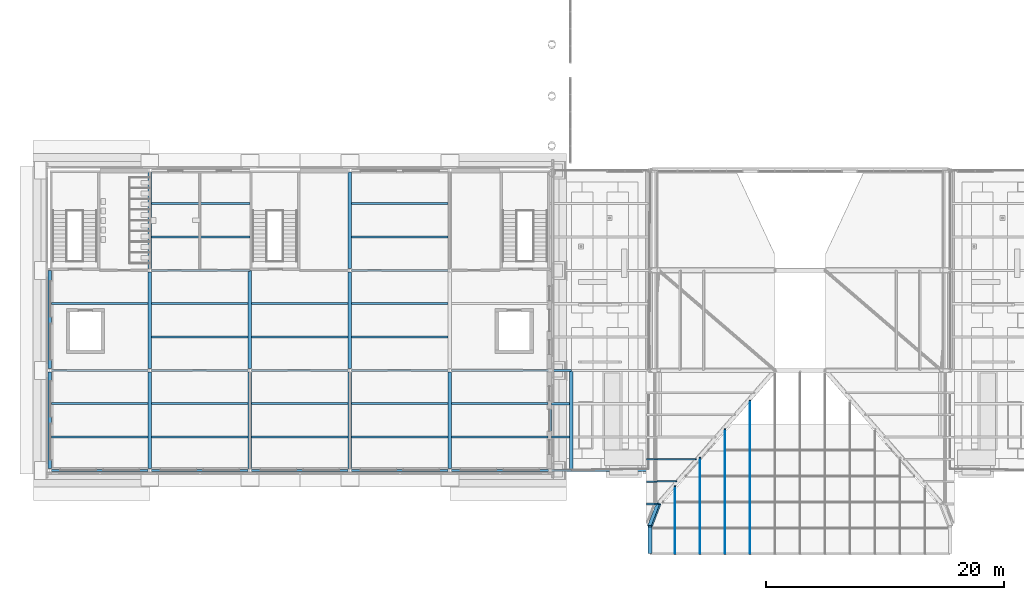
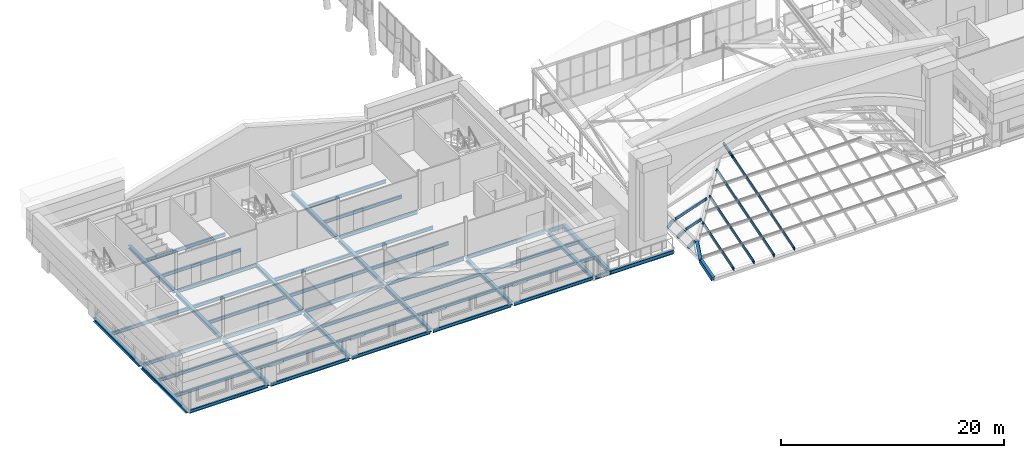
# One storey, part 13 of 76: 53 beams, 13 members.
"""IFC4 building model written with IfcOpenShell, lengths in metres."""

from ifc_helpers import new_model, si_unit, direction, frame, origin, origin_2d, place, context, subcontext, project, spatial, polyline, rectangle, i_section, outline, extrude, material, material_profile, profile_set, type_object, element, save


model = new_model("IFC4")

# Units and contexts
model_context = context("Model", 3, precision=1e-05, world=origin(), true_north=direction((0.0, 1.0)))
body_context = subcontext(model_context, "Body", "Model", "MODEL_VIEW")
ifc_project = project(units=[si_unit("LENGTHUNIT", "METRE"), si_unit("AREAUNIT", "SQUARE_METRE"), si_unit("VOLUMEUNIT", "CUBIC_METRE"), si_unit("PLANEANGLEUNIT", "RADIAN"), si_unit("MASSUNIT", "GRAM", prefix="KILO")], contexts=[model_context])

# Site, building, storey
site_placement = place(None, origin())
site = spatial("IfcSite", under=ifc_project, at=site_placement, CompositionType="ELEMENT")
building_placement = place(site_placement, origin())
building = spatial("IfcBuilding", under=site, at=building_placement, Name="Sava Quay Ferry Terminal", CompositionType="ELEMENT")
storey_placement = place(building_placement, frame((0.0, 0.0, 10.800048828125)))
storey = spatial("IfcBuildingStorey", under=building, at=storey_placement, Name="L02", CompositionType="ELEMENT", Elevation=10.800048828125)

# Beams
ifc_material_1 = material(Name="Steel S355", Category="steel")
ifc_material_profile_1 = material_profile(ifc_material_1, i_section(OverallWidth=0.169921875, OverallDepth=0.360107421875, WebThickness=0.008056640625, FlangeThickness=0.0126953125, at=origin_2d()), Name="IPE 360")
ifc_profile_set_1 = profile_set([ifc_material_profile_1], Name="Steel S355")
beam_type_1 = type_object("IfcBeamType", Name="Beam IPE 360", PredefinedType="BEAM", material=ifc_profile_set_1)
beam_1_placement = place(storey_placement, frame((0.14990234375, 25.199951171875, -0.31005859375), z_axis=(1.0, 0.0, 0.0), x_axis=(0.0, 1.0, 0.0)))
element("IfcBeam", 1, at=beam_1_placement, inside=storey, type_object=beam_type_1, Name="Beam L02", PredefinedType="BEAM", context=body_context, shape_type="SweptSolid", body=[
    extrude(i_section(OverallWidth=0.169921875, OverallDepth=0.360107421875, WebThickness=0.008056640625, FlangeThickness=0.0126953125, at=origin_2d()), origin(), (0.0, 0.0, 1.0), 8.10009765625),
])
beam_2_placement = place(storey_placement, frame((8.550048828125, 25.199951171875, -0.31005859375), z_axis=(1.0, 0.0, 0.0), x_axis=(0.0, 1.0, 0.0)))
element("IfcBeam", 2, at=beam_2_placement, inside=storey, type_object=beam_type_1, Name="Beam L02", PredefinedType="BEAM", context=body_context, shape_type="SweptSolid", body=[
    extrude(i_section(OverallWidth=0.169921875, OverallDepth=0.360107421875, WebThickness=0.008056640625, FlangeThickness=0.0126953125, at=origin_2d()), origin(), (0.0, 0.0, 1.0), 8.099853515625),
])
beam_3_placement = place(storey_placement, frame((16.949951171875, 25.199951171875, -0.31005859375), z_axis=(1.0, 0.0, 0.0), x_axis=(0.0, 1.0, 0.0)))
element("IfcBeam", 3, at=beam_3_placement, inside=storey, type_object=beam_type_1, Name="Beam L02", PredefinedType="BEAM", context=body_context, shape_type="SweptSolid", body=[
    extrude(i_section(OverallWidth=0.169921875, OverallDepth=0.360107421875, WebThickness=0.008056640625, FlangeThickness=0.0126953125, at=origin_2d()), origin(), (0.0, 0.0, 1.0), 8.10009765625),
])
beam_4_placement = place(storey_placement, frame((25.35009765625, 25.199951171875, -0.31005859375), z_axis=(1.0, 0.0, 0.0), x_axis=(0.0, 1.0, 0.0)))
element("IfcBeam", 4, at=beam_4_placement, inside=storey, type_object=beam_type_1, Name="Beam L02", PredefinedType="BEAM", context=body_context, shape_type="SweptSolid", body=[
    extrude(i_section(OverallWidth=0.169921875, OverallDepth=0.360107421875, WebThickness=0.008056640625, FlangeThickness=0.0126953125, at=origin_2d()), origin(), (0.0, 0.0, 1.0), 8.099853515625),
])
beam_5_placement = place(storey_placement, frame((33.75, 25.199951171875, -0.31005859375), z_axis=(1.0, 0.0, 0.0), x_axis=(0.0, 1.0, 0.0)))
element("IfcBeam", 5, at=beam_5_placement, inside=storey, type_object=beam_type_1, Name="Beam L02", PredefinedType="BEAM", context=body_context, shape_type="SweptSolid", body=[
    extrude(i_section(OverallWidth=0.169921875, OverallDepth=0.360107421875, WebThickness=0.008056640625, FlangeThickness=0.0126953125, at=origin_2d()), origin(), (0.0, 0.0, 1.0), 8.1201171875),
])
beam_6_placement = place(storey_placement, frame((0.14990234375, 33.60009765625, -0.31005859375), z_axis=(1.0, 0.0, 0.0), x_axis=(0.0, 1.0, 0.0)))
element("IfcBeam", 6, at=beam_6_placement, inside=storey, type_object=beam_type_1, Name="Beam L02", PredefinedType="BEAM", context=body_context, shape_type="SweptSolid", body=[
    extrude(i_section(OverallWidth=0.169921875, OverallDepth=0.360107421875, WebThickness=0.008056640625, FlangeThickness=0.0126953125, at=origin_2d()), origin(), (0.0, 0.0, 1.0), 8.10009765625),
])
beam_7_placement = place(storey_placement, frame((8.550048828125, 33.60009765625, -0.31005859375), z_axis=(1.0, 0.0, 0.0), x_axis=(0.0, 1.0, 0.0)))
element("IfcBeam", 7, at=beam_7_placement, inside=storey, type_object=beam_type_1, Name="Beam L02", PredefinedType="BEAM", context=body_context, shape_type="SweptSolid", body=[
    extrude(i_section(OverallWidth=0.169921875, OverallDepth=0.360107421875, WebThickness=0.008056640625, FlangeThickness=0.0126953125, at=origin_2d()), origin(), (0.0, 0.0, 1.0), 8.099853515625),
])
beam_8_placement = place(storey_placement, frame((16.949951171875, 33.60009765625, -0.31005859375), z_axis=(1.0, 0.0, 0.0), x_axis=(0.0, 1.0, 0.0)))
element("IfcBeam", 8, at=beam_8_placement, inside=storey, type_object=beam_type_1, Name="Beam L02", PredefinedType="BEAM", context=body_context, shape_type="SweptSolid", body=[
    extrude(i_section(OverallWidth=0.169921875, OverallDepth=0.360107421875, WebThickness=0.008056640625, FlangeThickness=0.0126953125, at=origin_2d()), origin(), (0.0, 0.0, 1.0), 8.10009765625),
])
beam_9_placement = place(storey_placement, frame((25.35009765625, 33.60009765625, -0.31005859375), z_axis=(1.0, 0.0, 0.0), x_axis=(0.0, 1.0, 0.0)))
element("IfcBeam", 9, at=beam_9_placement, inside=storey, type_object=beam_type_1, Name="Beam L02", PredefinedType="BEAM", context=body_context, shape_type="SweptSolid", body=[
    extrude(i_section(OverallWidth=0.169921875, OverallDepth=0.360107421875, WebThickness=0.008056640625, FlangeThickness=0.0126953125, at=origin_2d()), origin(), (0.0, 0.0, 1.0), 8.099853515625),
])
beam_10_placement = place(storey_placement, frame((33.75, 33.60009765625, -0.31005859375), z_axis=(1.0, 0.0, 0.0), x_axis=(0.0, 1.0, 0.0)))
element("IfcBeam", 10, at=beam_10_placement, inside=storey, type_object=beam_type_1, Name="Beam L02", PredefinedType="BEAM", context=body_context, shape_type="SweptSolid", body=[
    extrude(i_section(OverallWidth=0.169921875, OverallDepth=0.360107421875, WebThickness=0.008056640625, FlangeThickness=0.0126953125, at=origin_2d()), origin(), (0.0, 0.0, 1.0), 8.1201171875),
])
beam_11_placement = place(storey_placement, frame((8.550048828125, 42.0, -0.31005859375), z_axis=(1.0, 0.0, 0.0), x_axis=(0.0, 1.0, 0.0)))
element("IfcBeam", 11, at=beam_11_placement, inside=storey, type_object=beam_type_1, Name="Beam L02", PredefinedType="BEAM", context=body_context, shape_type="SweptSolid", body=[
    extrude(i_section(OverallWidth=0.169921875, OverallDepth=0.360107421875, WebThickness=0.008056640625, FlangeThickness=0.0126953125, at=origin_2d()), origin(), (0.0, 0.0, 1.0), 8.25),
])
beam_12_placement = place(storey_placement, frame((25.35009765625, 42.0, -0.31005859375), z_axis=(1.0, 0.0, 0.0), x_axis=(0.0, 1.0, 0.0)))
element("IfcBeam", 12, at=beam_12_placement, inside=storey, type_object=beam_type_1, Name="Beam L02", PredefinedType="BEAM", context=body_context, shape_type="SweptSolid", body=[
    extrude(i_section(OverallWidth=0.169921875, OverallDepth=0.360107421875, WebThickness=0.008056640625, FlangeThickness=0.0126953125, at=origin_2d()), origin(), (0.0, 0.0, 1.0), 8.099853515625),
])
for number, where, z_axis, x_axis, name in (
    (13, (0.14990234375, 28.0, -0.31005859375), (1.0, 0.0, 0.0), (0.0, 1.0, 0.0), "Secondary beam L02"),
    (14, (0.14990234375, 30.800048828125, -0.31005859375), (1.0, 0.0, 0.0), (0.0, 1.0, 0.0), "Secondary beam L02"),
):
    element("IfcBeam", number, at=place(storey_placement, frame(where, z_axis=z_axis, x_axis=x_axis)), inside=storey, type_object=beam_type_1, Name=name, PredefinedType="BEAM", context=body_context, shape_type="SweptSolid", body=[
        extrude(i_section(OverallWidth=0.169921875, OverallDepth=0.360107421875, WebThickness=0.008056640625, FlangeThickness=0.0126953125, at=origin_2d()), origin(), (0.0, 0.0, 1.0), 8.10009765625),
    ])
for number, where, z_axis, x_axis, name in (
    (15, (8.550048828125, 28.0, -0.31005859375), (1.0, 0.0, 0.0), (0.0, 1.0, 0.0), "Secondary beam L02"),
    (16, (8.550048828125, 30.800048828125, -0.31005859375), (1.0, 0.0, 0.0), (0.0, 1.0, 0.0), "Secondary beam L02"),
):
    element("IfcBeam", number, at=place(storey_placement, frame(where, z_axis=z_axis, x_axis=x_axis)), inside=storey, type_object=beam_type_1, Name=name, PredefinedType="BEAM", context=body_context, shape_type="SweptSolid", body=[
        extrude(i_section(OverallWidth=0.169921875, OverallDepth=0.360107421875, WebThickness=0.008056640625, FlangeThickness=0.0126953125, at=origin_2d()), origin(), (0.0, 0.0, 1.0), 8.099853515625),
    ])
for number, where, z_axis, x_axis, name in (
    (17, (16.949951171875, 28.0, -0.31005859375), (1.0, 0.0, 0.0), (0.0, 1.0, 0.0), "Secondary beam L02"),
    (18, (16.949951171875, 30.800048828125, -0.31005859375), (1.0, 0.0, 0.0), (0.0, 1.0, 0.0), "Secondary beam L02"),
):
    element("IfcBeam", number, at=place(storey_placement, frame(where, z_axis=z_axis, x_axis=x_axis)), inside=storey, type_object=beam_type_1, Name=name, PredefinedType="BEAM", context=body_context, shape_type="SweptSolid", body=[
        extrude(i_section(OverallWidth=0.169921875, OverallDepth=0.360107421875, WebThickness=0.008056640625, FlangeThickness=0.0126953125, at=origin_2d()), origin(), (0.0, 0.0, 1.0), 8.10009765625),
    ])
for number, where, z_axis, x_axis, name in (
    (19, (25.35009765625, 28.0, -0.31005859375), (1.0, 0.0, 0.0), (0.0, 1.0, 0.0), "Secondary beam L02"),
    (20, (25.35009765625, 30.800048828125, -0.31005859375), (1.0, 0.0, 0.0), (0.0, 1.0, 0.0), "Secondary beam L02"),
):
    element("IfcBeam", number, at=place(storey_placement, frame(where, z_axis=z_axis, x_axis=x_axis)), inside=storey, type_object=beam_type_1, Name=name, PredefinedType="BEAM", context=body_context, shape_type="SweptSolid", body=[
        extrude(i_section(OverallWidth=0.169921875, OverallDepth=0.360107421875, WebThickness=0.008056640625, FlangeThickness=0.0126953125, at=origin_2d()), origin(), (0.0, 0.0, 1.0), 8.099853515625),
    ])
for number, where, z_axis, x_axis, name in (
    (21, (33.75, 28.0, -0.31005859375), (1.0, 0.0, 0.0), (0.0, 1.0, 0.0), "Secondary beam L02"),
    (22, (33.75, 30.800048828125, -0.31005859375), (1.0, 0.0, 0.0), (0.0, 1.0, 0.0), "Secondary beam L02"),
    (23, (0.14990234375, 39.199951171875, -0.31005859375), (1.0, 0.0, 0.0), (0.0, 1.0, 0.0), "Secondary beam L02"),
):
    element("IfcBeam", number, at=place(storey_placement, frame(where, z_axis=z_axis, x_axis=x_axis)), inside=storey, type_object=beam_type_1, Name=name, PredefinedType="BEAM", context=body_context, shape_type="SweptSolid", body=[
        extrude(i_section(OverallWidth=0.169921875, OverallDepth=0.360107421875, WebThickness=0.008056640625, FlangeThickness=0.0126953125, at=origin_2d()), origin(), (0.0, 0.0, 1.0), 8.10009765625),
    ])
for number, where, z_axis, x_axis, name in (
    (24, (8.550048828125, 36.39990234375, -0.31005859375), (1.0, 0.0, 0.0), (0.0, 1.0, 0.0), "Secondary beam L02"),
    (25, (8.550048828125, 39.199951171875, -0.31005859375), (1.0, 0.0, 0.0), (0.0, 1.0, 0.0), "Secondary beam L02"),
):
    element("IfcBeam", number, at=place(storey_placement, frame(where, z_axis=z_axis, x_axis=x_axis)), inside=storey, type_object=beam_type_1, Name=name, PredefinedType="BEAM", context=body_context, shape_type="SweptSolid", body=[
        extrude(i_section(OverallWidth=0.169921875, OverallDepth=0.360107421875, WebThickness=0.008056640625, FlangeThickness=0.0126953125, at=origin_2d()), origin(), (0.0, 0.0, 1.0), 8.099853515625),
    ])
for number, where, z_axis, x_axis, name in (
    (26, (16.949951171875, 36.39990234375, -0.31005859375), (1.0, 0.0, 0.0), (0.0, 1.0, 0.0), "Secondary beam L02"),
    (27, (16.949951171875, 39.199951171875, -0.31005859375), (1.0, 0.0, 0.0), (0.0, 1.0, 0.0), "Secondary beam L02"),
):
    element("IfcBeam", number, at=place(storey_placement, frame(where, z_axis=z_axis, x_axis=x_axis)), inside=storey, type_object=beam_type_1, Name=name, PredefinedType="BEAM", context=body_context, shape_type="SweptSolid", body=[
        extrude(i_section(OverallWidth=0.169921875, OverallDepth=0.360107421875, WebThickness=0.008056640625, FlangeThickness=0.0126953125, at=origin_2d()), origin(), (0.0, 0.0, 1.0), 8.10009765625),
    ])
for number, where, z_axis, x_axis, name in (
    (28, (25.35009765625, 36.39990234375, -0.31005859375), (1.0, 0.0, 0.0), (0.0, 1.0, 0.0), "Secondary beam L02"),
    (29, (25.35009765625, 39.199951171875, -0.31005859375), (1.0, 0.0, 0.0), (0.0, 1.0, 0.0), "Secondary beam L02"),
):
    element("IfcBeam", number, at=place(storey_placement, frame(where, z_axis=z_axis, x_axis=x_axis)), inside=storey, type_object=beam_type_1, Name=name, PredefinedType="BEAM", context=body_context, shape_type="SweptSolid", body=[
        extrude(i_section(OverallWidth=0.169921875, OverallDepth=0.360107421875, WebThickness=0.008056640625, FlangeThickness=0.0126953125, at=origin_2d()), origin(), (0.0, 0.0, 1.0), 8.099853515625),
    ])
for number, where, z_axis, x_axis, name in (
    (30, (8.550048828125, 44.800048828125, -0.31005859375), (1.0, 0.0, 0.0), (0.0, 1.0, 0.0), "Secondary beam L02"),
    (31, (8.550048828125, 47.60009765625, -0.31005859375), (1.0, 0.0, 0.0), (0.0, 1.0, 0.0), "Secondary beam L02"),
):
    element("IfcBeam", number, at=place(storey_placement, frame(where, z_axis=z_axis, x_axis=x_axis)), inside=storey, type_object=beam_type_1, Name=name, PredefinedType="BEAM", context=body_context, shape_type="SweptSolid", body=[
        extrude(i_section(OverallWidth=0.169921875, OverallDepth=0.360107421875, WebThickness=0.008056640625, FlangeThickness=0.0126953125, at=origin_2d()), origin(), (0.0, 0.0, 1.0), 8.25),
    ])
for number, where, z_axis, x_axis, name in (
    (32, (25.35009765625, 44.800048828125, -0.31005859375), (1.0, 0.0, 0.0), (0.0, 1.0, 0.0), "Secondary beam L02"),
    (33, (25.35009765625, 47.60009765625, -0.31005859375), (1.0, 0.0, 0.0), (0.0, 1.0, 0.0), "Secondary beam L02"),
):
    element("IfcBeam", number, at=place(storey_placement, frame(where, z_axis=z_axis, x_axis=x_axis)), inside=storey, type_object=beam_type_1, Name=name, PredefinedType="BEAM", context=body_context, shape_type="SweptSolid", body=[
        extrude(i_section(OverallWidth=0.169921875, OverallDepth=0.360107421875, WebThickness=0.008056640625, FlangeThickness=0.0126953125, at=origin_2d()), origin(), (0.0, 0.0, 1.0), 8.099853515625),
    ])
ifc_material_2 = material(Name="Steel S355", Category="steel")
ifc_material_profile_2 = material_profile(ifc_material_2, i_section(OverallWidth=0.179931640625, OverallDepth=0.39990234375, WebThickness=0.008544921875, FlangeThickness=0.013427734375, at=origin_2d()), Name="IPE 400")
ifc_profile_set_2 = profile_set([ifc_material_profile_2], Name="Steel S355")
beam_type_2 = type_object("IfcBeamType", Name="Beam IPE 400", PredefinedType="BEAM", material=ifc_profile_set_2)
beam_13_placement = place(storey_placement, frame((42.1298828125, 25.199951171875, -0.35009765625), z_axis=(1.0, 0.0, 0.0), x_axis=(0.0, 1.0, 0.0)))
element("IfcBeam", 34, at=beam_13_placement, inside=storey, type_object=beam_type_2, Name="Beam L02", PredefinedType="BEAM", context=body_context, shape_type="SweptSolid", body=[
    extrude(i_section(OverallWidth=0.179931640625, OverallDepth=0.39990234375, WebThickness=0.008544921875, FlangeThickness=0.013427734375, at=origin_2d()), origin(), (0.0, 0.0, 1.0), 1.670166015625),
])
beam_14_placement = place(storey_placement, frame((43.800048828125, 25.199951171875, -0.35009765625), z_axis=(1.0, 0.0, 0.0), x_axis=(0.0, 1.0, 0.0)))
element("IfcBeam", 35, at=beam_14_placement, inside=storey, type_object=beam_type_2, Name="Beam L02", PredefinedType="BEAM", context=body_context, shape_type="SweptSolid", body=[
    extrude(i_section(OverallWidth=0.179931640625, OverallDepth=0.39990234375, WebThickness=0.008544921875, FlangeThickness=0.013427734375, at=origin_2d()), origin(), (0.0, 0.0, 1.0), 6.469970703125),
])
beam_15_placement = place(storey_placement, frame((42.1298828125, 33.60009765625, -0.35009765625), z_axis=(1.0, 0.0, 0.0), x_axis=(0.0, 1.0, 0.0)))
element("IfcBeam", 36, at=beam_15_placement, inside=storey, type_object=beam_type_2, Name="Beam L02", PredefinedType="BEAM", context=body_context, shape_type="SweptSolid", body=[
    extrude(i_section(OverallWidth=0.179931640625, OverallDepth=0.39990234375, WebThickness=0.008544921875, FlangeThickness=0.013427734375, at=origin_2d()), origin(), (0.0, 0.0, 1.0), 1.670166015625),
])
for number, where, z_axis, x_axis, name in (
    (37, (42.14990234375, 28.0, -0.35009765625), (1.0, 0.0, 0.0), (0.0, 1.0, 0.0), "Secondary beam L02"),
    (38, (42.14990234375, 30.800048828125, -0.35009765625), (1.0, 0.0, 0.0), (0.0, 1.0, 0.0), "Secondary beam L02"),
):
    element("IfcBeam", number, at=place(storey_placement, frame(where, z_axis=z_axis, x_axis=x_axis)), inside=storey, type_object=beam_type_2, Name=name, PredefinedType="BEAM", context=body_context, shape_type="SweptSolid", body=[
        extrude(i_section(OverallWidth=0.179931640625, OverallDepth=0.39990234375, WebThickness=0.008544921875, FlangeThickness=0.013427734375, at=origin_2d()), origin(), (0.0, 0.0, 1.0), 1.5),
    ])
ifc_material_3 = material(Name="Steel S355", Category="steel")
ifc_material_profile_3 = material_profile(ifc_material_3, outline(polyline([(-0.14990234375, -0.228515625), (0.14990234375, -0.228515625), (0.14990234375, 0.228515625), (-0.14990234375, 0.228515625), (-0.14990234375, -0.228515625)]), holes=[polyline([(-0.1298828125, -0.20849609375), (-0.1298828125, 0.20849609375), (0.1298828125, 0.20849609375), (0.1298828125, -0.20849609375), (-0.1298828125, -0.20849609375)])]), Name="Box 457x300x20 built-up")
ifc_profile_set_3 = profile_set([ifc_material_profile_3], Name="Steel S355")
beam_type_3 = type_object("IfcBeamType", Name="Fascia beam Box 457x300x20", PredefinedType="BEAM", material=ifc_profile_set_3)
beam_16_placement = place(storey_placement, frame((50.39990234375, 20.514892578125, 1.466064453125), z_axis=(0.0, -0.95764014417, -0.287967627127), x_axis=(1.0, 0.0, 0.0)))
element("IfcBeam", 39, at=beam_16_placement, inside=storey, type_object=beam_type_3, Name="Arrivals hall stern edge fascia beam ED1", PredefinedType="BEAM", context=body_context, shape_type="SweptSolid", body=[
    extrude(outline(polyline([(-0.14990234375, -0.228515625), (0.14990234375, -0.228515625), (0.14990234375, 0.228515625), (-0.14990234375, 0.228515625), (-0.14990234375, -0.228515625)]), holes=[polyline([(-0.1298828125, -0.20849609375), (-0.1298828125, 0.20849609375), (0.1298828125, 0.20849609375), (0.1298828125, -0.20849609375), (-0.1298828125, -0.20849609375)])]), origin(), (0.0, 0.0, 1.0), 2.312744140625),
])
beam_17_placement = place(storey_placement, frame((50.39990234375, 20.514892578125, 1.466064453125), z_axis=(0.345786313886, 0.898581825717, 0.270152785698), x_axis=(-0.878880548549, 0.411008524031, -0.242158986115)))
element("IfcBeam", 40, at=beam_17_placement, inside=storey, type_object=beam_type_3, Name="Arrivals hall stern hip fascia beam HI1", PredefinedType="BEAM", context=body_context, shape_type="SweptSolid", body=[
    extrude(outline(polyline([(-0.14990234375, -0.228515625), (0.14990234375, -0.228515625), (0.14990234375, 0.228515625), (-0.14990234375, 0.228515625), (-0.14990234375, -0.228515625)]), holes=[polyline([(-0.1298828125, -0.20849609375), (-0.1298828125, 0.20849609375), (0.1298828125, 0.20849609375), (0.1298828125, -0.20849609375), (-0.1298828125, -0.20849609375)])]), origin(), (0.0, 0.0, 1.0), 2.111083984375),
])
ifc_material_4 = material(Name="Steel S355", Category="steel")
ifc_material_profile_4 = material_profile(ifc_material_4, i_section(OverallWidth=0.300048828125, OverallDepth=0.389892578125, WebThickness=0.010986328125, FlangeThickness=0.01904296875, at=origin_2d()), Name="HE 400 A")
ifc_profile_set_4 = profile_set([ifc_material_profile_4], Name="Steel S355")
beam_type_4 = type_object("IfcBeamType", Name="Girder HE 400 A", PredefinedType="BEAM", material=ifc_profile_set_4)
beam_18_placement = place(storey_placement, frame((0.0, 25.35009765625, -0.324951171875), z_axis=(0.0, 1.0, 0.0), x_axis=(-1.0, 0.0, 0.0)))
element("IfcBeam", 41, at=beam_18_placement, inside=storey, type_object=beam_type_4, Name="Girder L02", PredefinedType="BEAM", context=body_context, shape_type="SweptSolid", body=[
    extrude(i_section(OverallWidth=0.300048828125, OverallDepth=0.389892578125, WebThickness=0.010986328125, FlangeThickness=0.01904296875, at=origin_2d()), origin(), (0.0, 0.0, 1.0), 8.099853515625),
])
beam_19_placement = place(storey_placement, frame((0.0, 33.75, -0.324951171875), z_axis=(0.0, 1.0, 0.0), x_axis=(-1.0, 0.0, 0.0)))
element("IfcBeam", 42, at=beam_19_placement, inside=storey, type_object=beam_type_4, Name="Girder L02", PredefinedType="BEAM", context=body_context, shape_type="SweptSolid", body=[
    extrude(i_section(OverallWidth=0.300048828125, OverallDepth=0.389892578125, WebThickness=0.010986328125, FlangeThickness=0.01904296875, at=origin_2d()), origin(), (0.0, 0.0, 1.0), 8.25),
])
beam_20_placement = place(storey_placement, frame((8.39990234375, 25.35009765625, -0.324951171875), z_axis=(0.0, 1.0, 0.0), x_axis=(-1.0, 0.0, 0.0)))
element("IfcBeam", 43, at=beam_20_placement, inside=storey, type_object=beam_type_4, Name="Girder L02", PredefinedType="BEAM", context=body_context, shape_type="SweptSolid", body=[
    extrude(i_section(OverallWidth=0.300048828125, OverallDepth=0.389892578125, WebThickness=0.010986328125, FlangeThickness=0.01904296875, at=origin_2d()), origin(), (0.0, 0.0, 1.0), 8.099853515625),
])
for number, where, z_axis, x_axis, name in (
    (44, (8.39990234375, 33.75, -0.324951171875), (0.0, 1.0, 0.0), (-1.0, 0.0, 0.0), "Girder L02"),
    (45, (8.39990234375, 42.14990234375, -0.324951171875), (0.0, 1.0, 0.0), (-1.0, 0.0, 0.0), "Girder L02"),
):
    element("IfcBeam", number, at=place(storey_placement, frame(where, z_axis=z_axis, x_axis=x_axis)), inside=storey, type_object=beam_type_4, Name=name, PredefinedType="BEAM", context=body_context, shape_type="SweptSolid", body=[
        extrude(i_section(OverallWidth=0.300048828125, OverallDepth=0.389892578125, WebThickness=0.010986328125, FlangeThickness=0.01904296875, at=origin_2d()), origin(), (0.0, 0.0, 1.0), 8.10009765625),
    ])
beam_21_placement = place(storey_placement, frame((16.800048828125, 25.35009765625, -0.324951171875), z_axis=(0.0, 1.0, 0.0), x_axis=(-1.0, 0.0, 0.0)))
element("IfcBeam", 46, at=beam_21_placement, inside=storey, type_object=beam_type_4, Name="Girder L02", PredefinedType="BEAM", context=body_context, shape_type="SweptSolid", body=[
    extrude(i_section(OverallWidth=0.300048828125, OverallDepth=0.389892578125, WebThickness=0.010986328125, FlangeThickness=0.01904296875, at=origin_2d()), origin(), (0.0, 0.0, 1.0), 8.099853515625),
])
beam_22_placement = place(storey_placement, frame((16.800048828125, 33.75, -0.324951171875), z_axis=(0.0, 1.0, 0.0), x_axis=(-1.0, 0.0, 0.0)))
element("IfcBeam", 47, at=beam_22_placement, inside=storey, type_object=beam_type_4, Name="Girder L02", PredefinedType="BEAM", context=body_context, shape_type="SweptSolid", body=[
    extrude(i_section(OverallWidth=0.300048828125, OverallDepth=0.389892578125, WebThickness=0.010986328125, FlangeThickness=0.01904296875, at=origin_2d()), origin(), (0.0, 0.0, 1.0), 8.25),
])
beam_23_placement = place(storey_placement, frame((25.199951171875, 25.35009765625, -0.324951171875), z_axis=(0.0, 1.0, 0.0), x_axis=(-1.0, 0.0, 0.0)))
element("IfcBeam", 48, at=beam_23_placement, inside=storey, type_object=beam_type_4, Name="Girder L02", PredefinedType="BEAM", context=body_context, shape_type="SweptSolid", body=[
    extrude(i_section(OverallWidth=0.300048828125, OverallDepth=0.389892578125, WebThickness=0.010986328125, FlangeThickness=0.01904296875, at=origin_2d()), origin(), (0.0, 0.0, 1.0), 8.099853515625),
])
for number, where, z_axis, x_axis, name in (
    (49, (25.199951171875, 33.75, -0.324951171875), (0.0, 1.0, 0.0), (-1.0, 0.0, 0.0), "Girder L02"),
    (50, (25.199951171875, 42.14990234375, -0.324951171875), (0.0, 1.0, 0.0), (-1.0, 0.0, 0.0), "Girder L02"),
):
    element("IfcBeam", number, at=place(storey_placement, frame(where, z_axis=z_axis, x_axis=x_axis)), inside=storey, type_object=beam_type_4, Name=name, PredefinedType="BEAM", context=body_context, shape_type="SweptSolid", body=[
        extrude(i_section(OverallWidth=0.300048828125, OverallDepth=0.389892578125, WebThickness=0.010986328125, FlangeThickness=0.01904296875, at=origin_2d()), origin(), (0.0, 0.0, 1.0), 8.10009765625),
    ])
beam_24_placement = place(storey_placement, frame((33.60009765625, 25.35009765625, -0.324951171875), z_axis=(0.0, 1.0, 0.0), x_axis=(-1.0, 0.0, 0.0)))
element("IfcBeam", 51, at=beam_24_placement, inside=storey, type_object=beam_type_4, Name="Girder L02", PredefinedType="BEAM", context=body_context, shape_type="SweptSolid", body=[
    extrude(i_section(OverallWidth=0.300048828125, OverallDepth=0.389892578125, WebThickness=0.010986328125, FlangeThickness=0.01904296875, at=origin_2d()), origin(), (0.0, 0.0, 1.0), 8.099853515625),
])
beam_25_placement = place(storey_placement, frame((42.0, 25.330078125, -0.344970703125), z_axis=(0.0, 1.0, 0.0), x_axis=(-1.0, 0.0, 0.0)))
element("IfcBeam", 52, at=beam_25_placement, inside=storey, type_object=beam_type_4, Name="Girder L02", PredefinedType="BEAM", context=body_context, shape_type="SweptSolid", body=[
    extrude(i_section(OverallWidth=0.300048828125, OverallDepth=0.389892578125, WebThickness=0.010986328125, FlangeThickness=0.01904296875, at=origin_2d()), origin(), (0.0, 0.0, 1.0), 8.139892578125),
])
ifc_material_5 = material(Name="Steel S355", Category="steel")
ifc_material_profile_5 = material_profile(ifc_material_5, i_section(OverallWidth=0.300048828125, OverallDepth=0.449951171875, WebThickness=0.013916015625, FlangeThickness=0.02587890625, at=origin_2d()), Name="HE 450 B")
ifc_profile_set_5 = profile_set([ifc_material_profile_5], Name="Steel S355")
beam_type_5 = type_object("IfcBeamType", Name="Girder HE 450 B", PredefinedType="BEAM", material=ifc_profile_set_5)
beam_26_placement = place(storey_placement, frame((43.800048828125, 25.199951171875, -0.375), z_axis=(0.0, 1.0, 0.0), x_axis=(-1.0, 0.0, 0.0)))
element("IfcBeam", 53, at=beam_26_placement, inside=storey, type_object=beam_type_5, Name="Girder L02", PredefinedType="BEAM", context=body_context, shape_type="SweptSolid", body=[
    extrude(i_section(OverallWidth=0.300048828125, OverallDepth=0.449951171875, WebThickness=0.013916015625, FlangeThickness=0.02587890625, at=origin_2d()), origin(), (0.0, 0.0, 1.0), 8.400146484375),
])

# Members
ifc_material_6 = material(Name="Aluminium EN AW-6063 T6", Category="aluminium")
ifc_material_profile_6 = material_profile(ifc_material_6, rectangle(XDim=0.06005859375, YDim=0.06005859375, at=origin_2d()), Name="Bar 60 x 60")
ifc_profile_set_6 = profile_set([ifc_material_profile_6], Name="Aluminium EN AW-6063 T6")
member_type_1 = type_object("IfcMemberType", Name="Glazing bar 60x60", PredefinedType="USERDEFINED", material=ifc_profile_set_6)
member_1_placement = place(storey_placement, frame((52.5, 18.25732421875, 1.3388671875), z_axis=(0.0, 0.957639017708, 0.287971373166), x_axis=(-1.0, 0.0, 0.0)))
element("IfcMember", 54, at=member_1_placement, inside=storey, type_object=member_type_1, Name="Arrivals hall stern glazing bar GL1", ObjectType="GLAZING BAR", PredefinedType="USERDEFINED", context=body_context, shape_type="SweptSolid", body=[
    extrude(rectangle(XDim=0.06005859375, YDim=0.06005859375, at=origin_2d()), origin(), (0.0, 0.0, 1.0), 5.6396484375),
])
member_2_placement = place(storey_placement, frame((54.60009765625, 18.25732421875, 1.3388671875), z_axis=(0.0, 0.957638942278, 0.287971624005), x_axis=(-1.0, 0.0, 0.0)))
element("IfcMember", 55, at=member_2_placement, inside=storey, type_object=member_type_1, Name="Arrivals hall stern glazing bar GL2", ObjectType="GLAZING BAR", PredefinedType="USERDEFINED", context=body_context, shape_type="SweptSolid", body=[
    extrude(rectangle(XDim=0.06005859375, YDim=0.06005859375, at=origin_2d()), origin(), (0.0, 0.0, 1.0), 8.150634765625),
])
member_3_placement = place(storey_placement, frame((56.699951171875, 18.25732421875, 1.3388671875), z_axis=(0.0, 0.957645216983, 0.287950756882), x_axis=(-1.0, 0.0, 0.0)))
element("IfcMember", 56, at=member_3_placement, inside=storey, type_object=member_type_1, Name="Arrivals hall stern glazing bar GL3", ObjectType="GLAZING BAR", PredefinedType="USERDEFINED", context=body_context, shape_type="SweptSolid", body=[
    extrude(rectangle(XDim=0.06005859375, YDim=0.06005859375, at=origin_2d()), origin(), (0.0, 0.0, 1.0), 10.661865234375),
])
member_4_placement = place(storey_placement, frame((58.800048828125, 18.25732421875, 1.3388671875), z_axis=(0.0, 0.957643988579, 0.287954842185), x_axis=(-1.0, 0.0, 0.0)))
element("IfcMember", 57, at=member_4_placement, inside=storey, type_object=member_type_1, Name="Arrivals hall stern glazing bar GL4", ObjectType="GLAZING BAR", PredefinedType="USERDEFINED", context=body_context, shape_type="SweptSolid", body=[
    extrude(rectangle(XDim=0.06005859375, YDim=0.06005859375, at=origin_2d()), origin(), (0.0, 0.0, 1.0), 13.1728515625),
])
ifc_material_7 = material(Name="Steel S355", Category="steel")
ifc_material_profile_7 = material_profile(ifc_material_7, i_section(OverallWidth=0.135009765625, OverallDepth=0.27001953125, WebThickness=0.006591796875, FlangeThickness=0.01025390625, at=origin_2d()), Name="IPE 270")
ifc_profile_set_7 = profile_set([ifc_material_profile_7], Name="Steel S355")
member_type_2 = type_object("IfcMemberType", Name="Roof rafter IPE 270", PredefinedType="RAFTER", material=ifc_profile_set_7)
for number, where, z_axis, x_axis, name in (
    (58, (50.17626953125, 26.122802734375, 1.75244140625), (0.788016382432, 0.0, 0.61565427069), (0.0, 1.0, 0.0), "Arrivals hall stern rafter RA4"),
    (59, (50.17626953125, 24.253662109375, 1.75244140625), (0.788016382432, 0.0, 0.61565427069), (0.0, 1.0, 0.0), "Arrivals hall stern rafter RA5"),
):
    element("IfcMember", number, at=place(storey_placement, frame(where, z_axis=z_axis, x_axis=x_axis)), inside=storey, type_object=member_type_2, Name=name, PredefinedType="RAFTER", context=body_context, shape_type="SweptSolid", body=[
        extrude(i_section(OverallWidth=0.135009765625, OverallDepth=0.27001953125, WebThickness=0.006591796875, FlangeThickness=0.01025390625, at=origin_2d()), origin(), (0.0, 0.0, 1.0), 0.92626953125),
    ])
member_5_placement = place(storey_placement, frame((50.17626953125, 22.38427734375, 1.75244140625), z_axis=(0.787967599837, 0.0, 0.615716705643), x_axis=(0.0, 1.0, 0.0)))
element("IfcMember", 60, at=member_5_placement, inside=storey, type_object=member_type_2, Name="Arrivals hall stern rafter RA6", PredefinedType="RAFTER", context=body_context, shape_type="SweptSolid", body=[
    extrude(i_section(OverallWidth=0.135009765625, OverallDepth=0.27001953125, WebThickness=0.006591796875, FlangeThickness=0.01025390625, at=origin_2d()), origin(), (0.0, 0.0, 1.0), 0.912841796875),
])
member_6_placement = place(storey_placement, frame((51.01171875, 26.14111328125, 2.3798828125), z_axis=(0.945496448983, 0.0, 0.325632407724), x_axis=(0.0, 1.0, 0.0)))
element("IfcMember", 61, at=member_6_placement, inside=storey, type_object=member_type_2, Name="Arrivals hall stern rafter RA10", PredefinedType="RAFTER", context=body_context, shape_type="SweptSolid", body=[
    extrude(i_section(OverallWidth=0.135009765625, OverallDepth=0.27001953125, WebThickness=0.006591796875, FlangeThickness=0.01025390625, at=origin_2d()), origin(), (0.0, 0.0, 1.0), 3.4443359375),
])
member_7_placement = place(storey_placement, frame((51.01171875, 24.276611328125, 2.3798828125), z_axis=(0.945488932139, 0.0, 0.325654232587), x_axis=(0.0, 1.0, 0.0)))
element("IfcMember", 62, at=member_7_placement, inside=storey, type_object=member_type_2, Name="Arrivals hall stern rafter RA11", PredefinedType="RAFTER", context=body_context, shape_type="SweptSolid", body=[
    extrude(i_section(OverallWidth=0.135009765625, OverallDepth=0.27001953125, WebThickness=0.006591796875, FlangeThickness=0.01025390625, at=origin_2d()), origin(), (0.0, 0.0, 1.0), 1.721923828125),
])
member_8_placement = place(storey_placement, frame((52.5, 18.1953125, 1.14794921875), z_axis=(0.0, 0.957638042329, 0.287974616735), x_axis=(-1.0, 0.0, 0.0)))
element("IfcMember", 63, at=member_8_placement, inside=storey, type_object=member_type_2, Name="Arrivals hall stern rafter RA23", PredefinedType="RAFTER", context=body_context, shape_type="SweptSolid", body=[
    extrude(i_section(OverallWidth=0.135009765625, OverallDepth=0.27001953125, WebThickness=0.006591796875, FlangeThickness=0.01025390625, at=origin_2d()), origin(), (0.0, 0.0, 1.0), 5.931884765625),
])
member_9_placement = place(storey_placement, frame((54.60009765625, 18.1953125, 1.14794921875), z_axis=(0.0, 0.9576462336, 0.287947375874), x_axis=(-1.0, 0.0, 0.0)))
element("IfcMember", 64, at=member_9_placement, inside=storey, type_object=member_type_2, Name="Arrivals hall stern rafter RA24", PredefinedType="RAFTER", context=body_context, shape_type="SweptSolid", body=[
    extrude(i_section(OverallWidth=0.135009765625, OverallDepth=0.27001953125, WebThickness=0.006591796875, FlangeThickness=0.01025390625, at=origin_2d()), origin(), (0.0, 0.0, 1.0), 8.443115234375),
])
member_10_placement = place(storey_placement, frame((56.699951171875, 18.1953125, 1.14794921875), z_axis=(0.0, 0.957644523348, 0.287953063714), x_axis=(-1.0, 0.0, 0.0)))
element("IfcMember", 65, at=member_10_placement, inside=storey, type_object=member_type_2, Name="Arrivals hall stern rafter RA25", PredefinedType="RAFTER", context=body_context, shape_type="SweptSolid", body=[
    extrude(i_section(OverallWidth=0.135009765625, OverallDepth=0.27001953125, WebThickness=0.006591796875, FlangeThickness=0.01025390625, at=origin_2d()), origin(), (0.0, 0.0, 1.0), 10.9541015625),
])
member_11_placement = place(storey_placement, frame((58.800048828125, 18.1953125, 1.14794921875), z_axis=(0.0, 0.957644954336, 0.287951630375), x_axis=(-1.0, 0.0, 0.0)))
element("IfcMember", 66, at=member_11_placement, inside=storey, type_object=member_type_2, Name="Arrivals hall stern rafter RA26", PredefinedType="RAFTER", context=body_context, shape_type="SweptSolid", body=[
    extrude(i_section(OverallWidth=0.135009765625, OverallDepth=0.27001953125, WebThickness=0.006591796875, FlangeThickness=0.01025390625, at=origin_2d()), origin(), (0.0, 0.0, 1.0), 13.465576171875),
])

save(model, "model.ifc")
